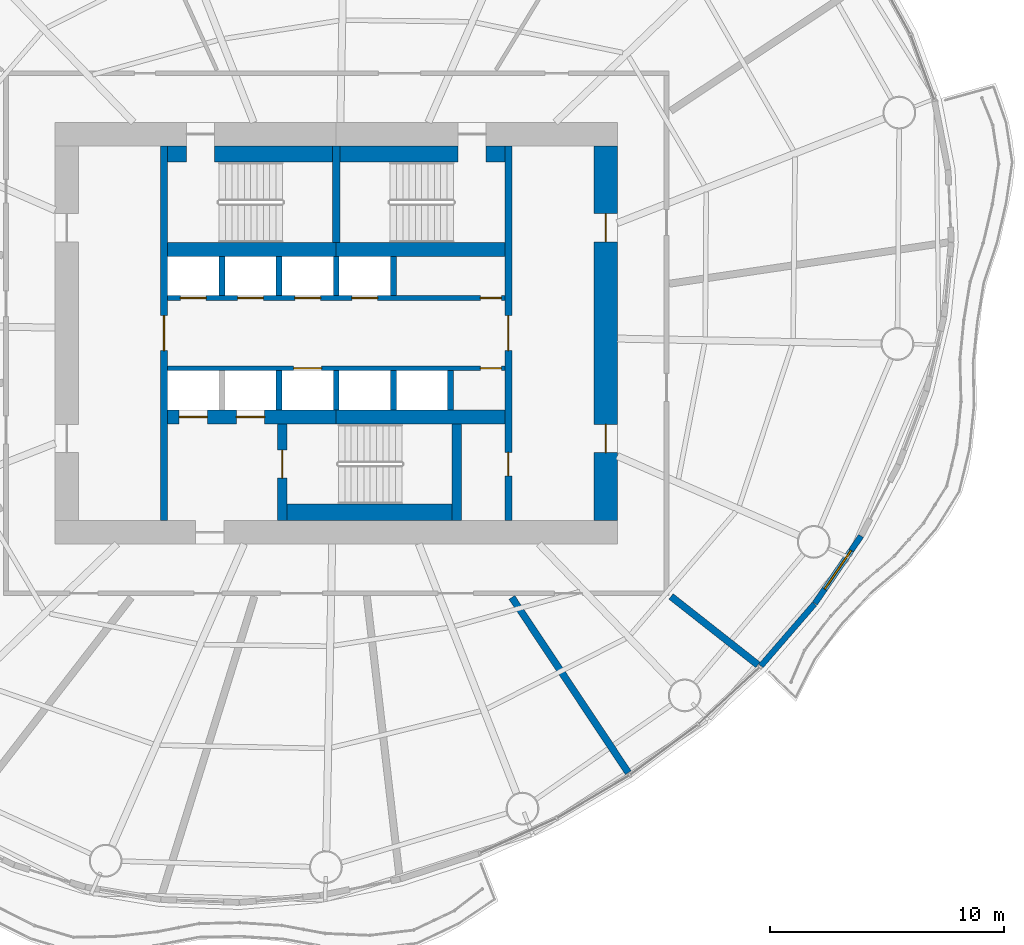
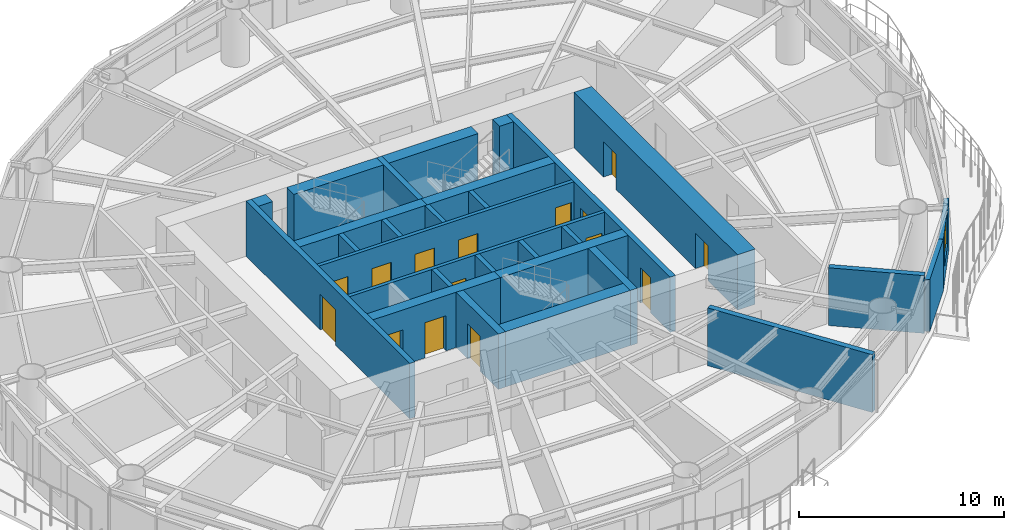
# One storey, part 9 of 15: 29 walls, 15 doors, 1 window, 16 openings.
"""IFC4 building model written with IfcOpenShell, lengths in metres."""

from ifc_helpers import new_model, si_unit, direction, frame, frame_2d, origin, place, context, subcontext, project, spatial, rectangle, extrude, material, layer, layer_set, type_object, element, fill, save


model = new_model("IFC4")

# Units and contexts
model_context = context("Model", 3, precision=1e-05, world=origin(), true_north=direction((0.0, 1.0)))
body_context = subcontext(model_context, "Body", "Model", "MODEL_VIEW")
ifc_project = project(units=[si_unit("LENGTHUNIT", "METRE"), si_unit("AREAUNIT", "SQUARE_METRE"), si_unit("VOLUMEUNIT", "CUBIC_METRE"), si_unit("PLANEANGLEUNIT", "RADIAN"), si_unit("MASSUNIT", "GRAM", prefix="KILO")], contexts=[model_context])

# Site, building, storey
site_placement = place(None, origin())
site = spatial("IfcSite", under=ifc_project, at=site_placement, CompositionType="ELEMENT")
building_placement = place(site_placement, origin())
building = spatial("IfcBuilding", under=site, at=building_placement, Name="Vermilion Reach Broadcast Tower", CompositionType="ELEMENT")
storey_placement = place(building_placement, frame((0.0, 0.0, 168.60009765625)))
storey = spatial("IfcBuildingStorey", under=building, at=storey_placement, Name="L40", CompositionType="ELEMENT", Elevation=168.60009765625)

# Wall, opening, door
ifc_material_1 = material(Name="Concrete C70", Category="concrete")
ifc_layer_1 = layer(ifc_material_1, 0.300048828125)
ifc_layer_set_1 = layer_set([ifc_layer_1], Name="Core inner wall 300 mm Concrete C70")
wall_type_1 = type_object("IfcWallType", Name="Core inner wall 300 mm Concrete C70", PredefinedType="SHEAR", material=ifc_layer_set_1)
wall_1_placement = place(storey_placement, frame((-13.35009765625, 8.0, 0.0), z_axis=(0.0, 0.0, 1.0), x_axis=(0.0, -1.0, 0.0)))
wall_1 = element("IfcWall", 1, at=wall_1_placement, inside=storey, type_object=wall_type_1, Name="L40 core wall ewW", PredefinedType="SHEAR", context=body_context, shape_type="SweptSolid", body=[
    extrude(rectangle(XDim=16.0, YDim=0.300048828125, at=frame_2d((8.0, 0.0))), origin(), (0.0, 0.0, 1.0), 3.2998046875),
])
opening_1_placement = place(wall_1_placement, frame((7.25, 0.0, 0.0)))
opening_1 = element("IfcOpeningElement", 2, at=opening_1_placement, cuts=wall_1, Name="Opening D04", PredefinedType="OPENING", context=body_context, shape_type="SweptSolid", body=[
    extrude(rectangle(XDim=1.5, YDim=2.10009765625, at=frame_2d((0.75, 1.050048828125))), frame((0.0, 0.159912109375, 0.0), z_axis=(0.0, -1.0, 0.0), x_axis=(1.0, 0.0, 0.0)), (0.0, 0.0, 1.0), 0.320068359375),
])
ifc_material_2 = material(Name="Painted steel fire door", Category="steel")
door_type_1 = type_object("IfcDoorType", Name="Lift lobby door 1500 x 2100", OperationType="DOUBLE_DOOR_SINGLE_SWING", PredefinedType="NOTDEFINED", material=ifc_material_2)
door_1_placement = place(opening_1_placement, origin())
door_1 = element("IfcDoor", 3, at=door_1_placement, inside=storey, type_object=door_type_1, Name="L40 band door BW", OperationType="DOUBLE_DOOR_SINGLE_SWING", OverallHeight=2.10009765625, OverallWidth=1.5, PredefinedType="NOTDEFINED", context=body_context, shape_type="SweptSolid", body=[
    extrude(rectangle(XDim=1.5, YDim=2.10009765625, at=frame_2d((0.75, 1.050048828125))), frame((0.0, 0.02490234375, 0.0), z_axis=(0.0, -1.0, 0.0), x_axis=(1.0, 0.0, 0.0)), (0.0, 0.0, 1.0), 0.050048828125),
])
fill(opening_1, door_1)

# Wall, openings, doors
wall_2_placement = place(storey_placement, frame((1.35009765625, -8.0, 0.0), z_axis=(0.0, 0.0, 1.0), x_axis=(0.0, 1.0, 0.0)))
wall_2 = element("IfcWall", 4, at=wall_2_placement, inside=storey, type_object=wall_type_1, Name="L40 core wall ewE", PredefinedType="SHEAR", context=body_context, shape_type="SweptSolid", body=[
    extrude(rectangle(XDim=16.0, YDim=0.300048828125, at=frame_2d((8.0, 0.0))), origin(), (0.0, 0.0, 1.0), 3.2998046875),
])
opening_2_placement = place(wall_2_placement, frame((1.909912109375, 0.0, 0.0)))
opening_2 = element("IfcOpeningElement", 5, at=opening_2_placement, cuts=wall_2, Name="Opening D05", PredefinedType="OPENING", context=body_context, shape_type="SweptSolid", body=[
    extrude(rectangle(XDim=1.0, YDim=2.10009765625, at=frame_2d((0.5, 1.050048828125))), frame((0.0, 0.159912109375, 0.0), z_axis=(0.0, -1.0, 0.0), x_axis=(1.0, 0.0, 0.0)), (0.0, 0.0, 1.0), 0.320068359375),
])
opening_3_placement = place(wall_2_placement, frame((7.25, 0.0, 0.0)))
opening_3 = element("IfcOpeningElement", 6, at=opening_3_placement, cuts=wall_2, Name="Opening D04", PredefinedType="OPENING", context=body_context, shape_type="SweptSolid", body=[
    extrude(rectangle(XDim=1.5, YDim=2.10009765625, at=frame_2d((0.75, 1.050048828125))), frame((0.0, 0.159912109375, 0.0), z_axis=(0.0, -1.0, 0.0), x_axis=(1.0, 0.0, 0.0)), (0.0, 0.0, 1.0), 0.320068359375),
])
door_2_placement = place(opening_3_placement, origin())
door_2 = element("IfcDoor", 7, at=door_2_placement, inside=storey, type_object=door_type_1, Name="L40 band door BE", OperationType="DOUBLE_DOOR_SINGLE_SWING", OverallHeight=2.10009765625, OverallWidth=1.5, PredefinedType="NOTDEFINED", context=body_context, shape_type="SweptSolid", body=[
    extrude(rectangle(XDim=1.5, YDim=2.10009765625, at=frame_2d((0.75, 1.050048828125))), frame((0.0, 0.02490234375, 0.0), z_axis=(0.0, -1.0, 0.0), x_axis=(1.0, 0.0, 0.0)), (0.0, 0.0, 1.0), 0.050048828125),
])
fill(opening_3, door_2)
ifc_material_3 = material(Name="Timber door", Category="wood")
door_type_2 = type_object("IfcDoorType", Name="Room door 1000 x 2100", OperationType="NOTDEFINED", PredefinedType="NOTDEFINED", material=ifc_material_3)
door_3_placement = place(opening_2_placement, origin())
door_3 = element("IfcDoor", 8, at=door_3_placement, inside=storey, type_object=door_type_2, Name="L40 door SER", OperationType="SINGLE_SWING_LEFT", OverallHeight=2.10009765625, OverallWidth=1.0, PredefinedType="NOTDEFINED", context=body_context, shape_type="SweptSolid", body=[
    extrude(rectangle(XDim=1.0, YDim=2.10009765625, at=frame_2d((0.5, 1.050048828125))), frame((0.0, 0.02490234375, 0.0), z_axis=(0.0, -1.0, 0.0), x_axis=(1.0, 0.0, 0.0)), (0.0, 0.0, 1.0), 0.050048828125),
])
fill(opening_2, door_3)

# Wall
wall_3_placement = place(storey_placement, frame((-6.0, 3.8798828125, 0.0), z_axis=(0.0, 0.0, 1.0), x_axis=(0.0, 1.0, 0.0)))
element("IfcWall", 9, at=wall_3_placement, inside=storey, type_object=wall_type_1, Name="L40 core wall wc", PredefinedType="SHEAR", context=body_context, shape_type="SweptSolid", body=[
    extrude(rectangle(XDim=4.1201171875, YDim=0.300048828125, at=frame_2d((2.06005859375, 0.0))), origin(), (0.0, 0.0, 1.0), 3.2998046875),
])

# Wall, opening, door
ifc_material_4 = material(Name="Concrete C70", Category="concrete")
ifc_layer_2 = layer(ifc_material_4, 0.39990234375)
ifc_layer_set_2 = layer_set([ifc_layer_2], Name="Core inner wall 400 mm Concrete C70")
wall_type_2 = type_object("IfcWallType", Name="Core inner wall 400 mm Concrete C70", PredefinedType="SHEAR", material=ifc_layer_set_2)
wall_4_placement = place(storey_placement, frame((-8.300048828125, -3.8798828125, 0.0), z_axis=(0.0, 0.0, 1.0), x_axis=(0.0, -1.0, 0.0)))
wall_4 = element("IfcWall", 10, at=wall_4_placement, inside=storey, type_object=wall_type_2, Name="L40 core wall wa", PredefinedType="SHEAR", context=body_context, shape_type="SweptSolid", body=[
    extrude(rectangle(XDim=4.1201171875, YDim=0.39990234375, at=frame_2d((2.06005859375, 0.0))), origin(), (0.0, 0.0, 1.0), 3.2998046875),
])
opening_4_placement = place(wall_4_placement, frame((1.110107421875, 0.0, 0.0)))
opening_4 = element("IfcOpeningElement", 11, at=opening_4_placement, cuts=wall_4, Name="Opening D01", PredefinedType="OPENING", context=body_context, shape_type="SweptSolid", body=[
    extrude(rectangle(XDim=1.199951171875, YDim=2.10009765625, at=frame_2d((0.60009765625, 1.050048828125))), frame((0.0, 0.2099609375, 0.0), z_axis=(0.0, -1.0, 0.0), x_axis=(1.0, 0.0, 0.0)), (0.0, 0.0, 1.0), 0.419921875),
])
ifc_material_5 = material(Name="Painted steel fire door", Category="steel")
door_type_3 = type_object("IfcDoorType", Name="Stair door 1200 x 2100", OperationType="DOUBLE_DOOR_SINGLE_SWING", PredefinedType="NOTDEFINED", material=ifc_material_5)
door_4_placement = place(opening_4_placement, origin())
door_4 = element("IfcDoor", 12, at=door_4_placement, inside=storey, type_object=door_type_3, Name="L40 stair door ST3", OperationType="DOUBLE_DOOR_SINGLE_SWING", OverallHeight=2.10009765625, OverallWidth=1.199951171875, PredefinedType="NOTDEFINED", context=body_context, shape_type="SweptSolid", body=[
    extrude(rectangle(XDim=1.199951171875, YDim=2.10009765625, at=frame_2d((0.60009765625, 1.050048828125))), frame((0.0, 0.02490234375, 0.0), z_axis=(0.0, -1.0, 0.0), x_axis=(1.0, 0.0, 0.0)), (0.0, 0.0, 1.0), 0.050048828125),
])
fill(opening_4, door_4)

# Walls
wall_5_placement = place(storey_placement, frame((-0.85009765625, -3.8798828125, 0.0), z_axis=(0.0, 0.0, 1.0), x_axis=(0.0, -1.0, 0.0)))
element("IfcWall", 13, at=wall_5_placement, inside=storey, type_object=wall_type_2, Name="L40 core wall wb", PredefinedType="SHEAR", context=body_context, shape_type="SweptSolid", body=[
    extrude(rectangle(XDim=4.1201171875, YDim=0.39990234375, at=frame_2d((2.06005859375, 0.0))), origin(), (0.0, 0.0, 1.0), 3.2998046875),
])
ifc_material_6 = material(Name="Concrete C70", Category="concrete")
ifc_layer_3 = layer(ifc_material_6, 0.60009765625)
ifc_layer_set_3 = layer_set([ifc_layer_3], Name="Core inner wall 600 mm Concrete C70")
wall_type_3 = type_object("IfcWallType", Name="Core inner wall 600 mm Concrete C70", PredefinedType="SHEAR", material=ifc_layer_set_3)
for number, where, z_axis, x_axis, name in (
    (14, (-13.199951171875, 3.580078125, 0.0), (0.0, 0.0, 1.0), (1.0, 0.0, 0.0), "L40 core wall winW"),
    (15, (-6.0, 3.580078125, 0.0), (0.0, 0.0, 1.0), (1.0, 0.0, 0.0), "L40 core wall winE"),
):
    element("IfcWall", number, at=place(storey_placement, frame(where, z_axis=z_axis, x_axis=x_axis)), inside=storey, type_object=wall_type_3, Name=name, PredefinedType="SHEAR", context=body_context, shape_type="SweptSolid", body=[
        extrude(rectangle(XDim=7.199951171875, YDim=0.60009765625, at=frame_2d((3.60009765625, 0.0))), origin(), (0.0, 0.0, 1.0), 3.2998046875),
    ])

# Wall, openings, doors
wall_6_placement = place(storey_placement, frame((-13.199951171875, -3.580078125, 0.0), z_axis=(0.0, 0.0, 1.0), x_axis=(1.0, 0.0, 0.0)))
wall_6 = element("IfcWall", 16, at=wall_6_placement, inside=storey, type_object=wall_type_3, Name="L40 core wall wisW", PredefinedType="SHEAR", context=body_context, shape_type="SweptSolid", body=[
    extrude(rectangle(XDim=7.199951171875, YDim=0.60009765625, at=frame_2d((3.60009765625, 0.0))), origin(), (0.0, 0.0, 1.0), 3.2998046875),
])
opening_5_placement = place(wall_6_placement, frame((0.495849609375, 0.0, 0.0)))
opening_5 = element("IfcOpeningElement", 17, at=opening_5_placement, cuts=wall_6, Name="Opening LD1", PredefinedType="OPENING", context=body_context, shape_type="SweptSolid", body=[
    extrude(rectangle(XDim=1.199951171875, YDim=2.10009765625, at=frame_2d((0.60009765625, 1.050048828125))), frame((0.0, 0.31005859375, 0.0), z_axis=(0.0, -1.0, 0.0), x_axis=(1.0, 0.0, 0.0)), (0.0, 0.0, 1.0), 0.6201171875),
])
opening_6_placement = place(wall_6_placement, frame((2.9375, 0.0, 0.0)))
opening_6 = element("IfcOpeningElement", 18, at=opening_6_placement, cuts=wall_6, Name="Opening LD1", PredefinedType="OPENING", context=body_context, shape_type="SweptSolid", body=[
    extrude(rectangle(XDim=1.199951171875, YDim=2.10009765625, at=frame_2d((0.60009765625, 1.050048828125))), frame((0.0, 0.31005859375, 0.0), z_axis=(0.0, -1.0, 0.0), x_axis=(1.0, 0.0, 0.0)), (0.0, 0.0, 1.0), 0.6201171875),
])
ifc_material_7 = material(Name="Stainless steel", Category="steel")
door_type_4 = type_object("IfcDoorType", Name="Landing door 1200 x 2100", OperationType="DOUBLE_DOOR_SLIDING", PredefinedType="NOTDEFINED", material=ifc_material_7)
door_5_placement = place(opening_5_placement, origin())
door_5 = element("IfcDoor", 19, at=door_5_placement, inside=storey, type_object=door_type_4, Name="L40 landing door FF1", OperationType="DOUBLE_DOOR_SLIDING", OverallHeight=2.10009765625, OverallWidth=1.199951171875, PredefinedType="NOTDEFINED", context=body_context, shape_type="SweptSolid", body=[
    extrude(rectangle(XDim=1.199951171875, YDim=2.10009765625, at=frame_2d((0.60009765625, 1.050048828125))), frame((0.0, 0.02490234375, 0.0), z_axis=(0.0, -1.0, 0.0), x_axis=(1.0, 0.0, 0.0)), (0.0, 0.0, 1.0), 0.050048828125),
])
fill(opening_5, door_5)
door_6_placement = place(opening_6_placement, origin())
door_6 = element("IfcDoor", 20, at=door_6_placement, inside=storey, type_object=door_type_4, Name="L40 landing door FF2", OperationType="DOUBLE_DOOR_SLIDING", OverallHeight=2.10009765625, OverallWidth=1.199951171875, PredefinedType="NOTDEFINED", context=body_context, shape_type="SweptSolid", body=[
    extrude(rectangle(XDim=1.199951171875, YDim=2.10009765625, at=frame_2d((0.60009765625, 1.050048828125))), frame((0.0, 0.02490234375, 0.0), z_axis=(0.0, -1.0, 0.0), x_axis=(1.0, 0.0, 0.0)), (0.0, 0.0, 1.0), 0.050048828125),
])
fill(opening_6, door_6)

# Wall
wall_7_placement = place(storey_placement, frame((-6.0, -3.580078125, 0.0), z_axis=(0.0, 0.0, 1.0), x_axis=(1.0, 0.0, 0.0)))
element("IfcWall", 21, at=wall_7_placement, inside=storey, type_object=wall_type_3, Name="L40 core wall wisE", PredefinedType="SHEAR", context=body_context, shape_type="SweptSolid", body=[
    extrude(rectangle(XDim=7.199951171875, YDim=0.60009765625, at=frame_2d((3.60009765625, 0.0))), origin(), (0.0, 0.0, 1.0), 3.2998046875),
])

# Wall, openings, doors
ifc_material_8 = material(Name="Concrete C70", Category="concrete")
ifc_layer_4 = layer(ifc_material_8, 1.0)
ifc_layer_set_4 = layer_set([ifc_layer_4], Name="Core outer wall 1000 mm Concrete C70")
wall_type_4 = type_object("IfcWallType", Name="Core outer wall 1000 mm Concrete C70", PredefinedType="SHEAR", material=ifc_layer_set_4)
wall_8_placement = place(storey_placement, frame((5.5, -8.0, 0.0), z_axis=(0.0, 0.0, 1.0), x_axis=(0.0, 1.0, 0.0)))
wall_8 = element("IfcWall", 22, at=wall_8_placement, inside=storey, type_object=wall_type_4, Name="L40 core wall oe", PredefinedType="SHEAR", context=body_context, shape_type="SweptSolid", body=[
    extrude(rectangle(XDim=16.0, YDim=1.0, at=frame_2d((8.0, 0.0))), origin(), (0.0, 0.0, 1.0), 3.2998046875),
])
opening_7_placement = place(wall_8_placement, frame((2.89990234375, 0.0, 0.0)))
opening_7 = element("IfcOpeningElement", 23, at=opening_7_placement, cuts=wall_8, Name="Opening D03", PredefinedType="OPENING", context=body_context, shape_type="SweptSolid", body=[
    extrude(rectangle(XDim=1.199951171875, YDim=2.10009765625, at=frame_2d((0.60009765625, 1.050048828125))), frame((0.0, 0.510009765625, 0.0), z_axis=(0.0, -1.0, 0.0), x_axis=(1.0, 0.0, 0.0)), (0.0, 0.0, 1.0), 1.02001953125),
])
opening_8_placement = place(wall_8_placement, frame((11.89990234375, 0.0, 0.0)))
opening_8 = element("IfcOpeningElement", 24, at=opening_8_placement, cuts=wall_8, Name="Opening D03", PredefinedType="OPENING", context=body_context, shape_type="SweptSolid", body=[
    extrude(rectangle(XDim=1.199951171875, YDim=2.10009765625, at=frame_2d((0.60009765625, 1.050048828125))), frame((0.0, 0.510009765625, 0.0), z_axis=(0.0, -1.0, 0.0), x_axis=(1.0, 0.0, 0.0)), (0.0, 0.0, 1.0), 1.02001953125),
])
ifc_material_9 = material(Name="Painted steel fire door", Category="steel")
door_type_5 = type_object("IfcDoorType", Name="Core lobby door 1200 x 2100", OperationType="DOUBLE_DOOR_SINGLE_SWING", PredefinedType="NOTDEFINED", material=ifc_material_9)
door_7_placement = place(opening_7_placement, origin())
door_7 = element("IfcDoor", 25, at=door_7_placement, inside=storey, type_object=door_type_5, Name="L40 slot door E0", OperationType="DOUBLE_DOOR_SINGLE_SWING", OverallHeight=2.10009765625, OverallWidth=1.199951171875, PredefinedType="NOTDEFINED", context=body_context, shape_type="SweptSolid", body=[
    extrude(rectangle(XDim=1.199951171875, YDim=2.10009765625, at=frame_2d((0.60009765625, 1.050048828125))), frame((0.0, 0.02490234375, 0.0), z_axis=(0.0, -1.0, 0.0), x_axis=(1.0, 0.0, 0.0)), (0.0, 0.0, 1.0), 0.050048828125),
])
fill(opening_7, door_7)
door_8_placement = place(opening_8_placement, origin())
door_8 = element("IfcDoor", 26, at=door_8_placement, inside=storey, type_object=door_type_5, Name="L40 slot door E1", OperationType="DOUBLE_DOOR_SINGLE_SWING", OverallHeight=2.10009765625, OverallWidth=1.199951171875, PredefinedType="NOTDEFINED", context=body_context, shape_type="SweptSolid", body=[
    extrude(rectangle(XDim=1.199951171875, YDim=2.10009765625, at=frame_2d((0.60009765625, 1.050048828125))), frame((0.0, 0.02490234375, 0.0), z_axis=(0.0, -1.0, 0.0), x_axis=(1.0, 0.0, 0.0)), (0.0, 0.0, 1.0), 0.050048828125),
])
fill(opening_8, door_8)

ifc_material_10 = material(Name="Concrete C50", Category="concrete")
ifc_layer_5 = layer(ifc_material_10, 0.199951171875)
ifc_layer_set_5 = layer_set([ifc_layer_5], Name="Core shaft wall 200 mm Concrete C50")
wall_type_5 = type_object("IfcWallType", Name="Core shaft wall 200 mm Concrete C50", PredefinedType="SHEAR", material=ifc_layer_set_5)
wall_9_placement = place(storey_placement, frame((-13.199951171875, 1.5, 0.0), z_axis=(0.0, 0.0, 1.0), x_axis=(1.0, 0.0, 0.0)))
wall_9 = element("IfcWall", 27, at=wall_9_placement, inside=storey, type_object=wall_type_5, Name="L40 core wall fn", PredefinedType="SHEAR", context=body_context, shape_type="SweptSolid", body=[
    extrude(rectangle(XDim=14.39990234375, YDim=0.199951171875, at=frame_2d((7.199951171875, 0.0))), origin(), (0.0, 0.0, 1.0), 3.2998046875),
])
opening_9_placement = place(wall_9_placement, frame((0.5458984375, 0.0, 0.0)))
opening_9 = element("IfcOpeningElement", 28, at=opening_9_placement, cuts=wall_9, Name="Opening LD2", PredefinedType="OPENING", context=body_context, shape_type="SweptSolid", body=[
    extrude(rectangle(XDim=1.10009765625, YDim=2.10009765625, at=frame_2d((0.550048828125, 1.050048828125))), frame((0.0, 0.10986328125, 0.0), z_axis=(0.0, -1.0, 0.0), x_axis=(1.0, 0.0, 0.0)), (0.0, 0.0, 1.0), 0.219970703125),
])
opening_10_placement = place(wall_9_placement, frame((2.987548828125, 0.0, 0.0)))
opening_10 = element("IfcOpeningElement", 29, at=opening_10_placement, cuts=wall_9, Name="Opening LD2", PredefinedType="OPENING", context=body_context, shape_type="SweptSolid", body=[
    extrude(rectangle(XDim=1.10009765625, YDim=2.10009765625, at=frame_2d((0.550048828125, 1.050048828125))), frame((0.0, 0.10986328125, 0.0), z_axis=(0.0, -1.0, 0.0), x_axis=(1.0, 0.0, 0.0)), (0.0, 0.0, 1.0), 0.219970703125),
])
opening_11_placement = place(wall_9_placement, frame((5.42919921875, 0.0, 0.0)))
opening_11 = element("IfcOpeningElement", 30, at=opening_11_placement, cuts=wall_9, Name="Opening LD2", PredefinedType="OPENING", context=body_context, shape_type="SweptSolid", body=[
    extrude(rectangle(XDim=1.10009765625, YDim=2.10009765625, at=frame_2d((0.550048828125, 1.050048828125))), frame((0.0, 0.10986328125, 0.0), z_axis=(0.0, -1.0, 0.0), x_axis=(1.0, 0.0, 0.0)), (0.0, 0.0, 1.0), 0.219970703125),
])
opening_12_placement = place(wall_9_placement, frame((7.870849609375, 0.0, 0.0)))
opening_12 = element("IfcOpeningElement", 31, at=opening_12_placement, cuts=wall_9, Name="Opening LD2", PredefinedType="OPENING", context=body_context, shape_type="SweptSolid", body=[
    extrude(rectangle(XDim=1.10009765625, YDim=2.10009765625, at=frame_2d((0.550048828125, 1.050048828125))), frame((0.0, 0.10986328125, 0.0), z_axis=(0.0, -1.0, 0.0), x_axis=(1.0, 0.0, 0.0)), (0.0, 0.0, 1.0), 0.219970703125),
])
opening_13_placement = place(wall_9_placement, frame((13.35009765625, 0.0, 0.0)))
opening_13 = element("IfcOpeningElement", 32, at=opening_13_placement, cuts=wall_9, Name="Opening D06", PredefinedType="OPENING", context=body_context, shape_type="SweptSolid", body=[
    extrude(rectangle(XDim=0.89990234375, YDim=2.10009765625, at=frame_2d((0.449951171875, 1.050048828125))), frame((0.0, 0.10986328125, 0.0), z_axis=(0.0, -1.0, 0.0), x_axis=(1.0, 0.0, 0.0)), (0.0, 0.0, 1.0), 0.219970703125),
])
ifc_material_11 = material(Name="Stainless steel", Category="steel")
door_type_6 = type_object("IfcDoorType", Name="Landing door 1100 x 2100", OperationType="DOUBLE_DOOR_SLIDING", PredefinedType="NOTDEFINED", material=ifc_material_11)
door_9_placement = place(opening_9_placement, origin())
door_9 = element("IfcDoor", 33, at=door_9_placement, inside=storey, type_object=door_type_6, Name="L40 landing door LR1", OperationType="DOUBLE_DOOR_SLIDING", OverallHeight=2.10009765625, OverallWidth=1.10009765625, PredefinedType="NOTDEFINED", context=body_context, shape_type="SweptSolid", body=[
    extrude(rectangle(XDim=1.10009765625, YDim=2.10009765625, at=frame_2d((0.550048828125, 1.050048828125))), frame((0.0, 0.02490234375, 0.0), z_axis=(0.0, -1.0, 0.0), x_axis=(1.0, 0.0, 0.0)), (0.0, 0.0, 1.0), 0.050048828125),
])
fill(opening_9, door_9)
door_10_placement = place(opening_10_placement, origin())
door_10 = element("IfcDoor", 34, at=door_10_placement, inside=storey, type_object=door_type_6, Name="L40 landing door LR2", OperationType="DOUBLE_DOOR_SLIDING", OverallHeight=2.10009765625, OverallWidth=1.10009765625, PredefinedType="NOTDEFINED", context=body_context, shape_type="SweptSolid", body=[
    extrude(rectangle(XDim=1.10009765625, YDim=2.10009765625, at=frame_2d((0.550048828125, 1.050048828125))), frame((0.0, 0.02490234375, 0.0), z_axis=(0.0, -1.0, 0.0), x_axis=(1.0, 0.0, 0.0)), (0.0, 0.0, 1.0), 0.050048828125),
])
fill(opening_10, door_10)
door_11_placement = place(opening_11_placement, origin())
door_11 = element("IfcDoor", 35, at=door_11_placement, inside=storey, type_object=door_type_6, Name="L40 landing door LR3", OperationType="DOUBLE_DOOR_SLIDING", OverallHeight=2.10009765625, OverallWidth=1.10009765625, PredefinedType="NOTDEFINED", context=body_context, shape_type="SweptSolid", body=[
    extrude(rectangle(XDim=1.10009765625, YDim=2.10009765625, at=frame_2d((0.550048828125, 1.050048828125))), frame((0.0, 0.02490234375, 0.0), z_axis=(0.0, -1.0, 0.0), x_axis=(1.0, 0.0, 0.0)), (0.0, 0.0, 1.0), 0.050048828125),
])
fill(opening_11, door_11)
door_12_placement = place(opening_12_placement, origin())
door_12 = element("IfcDoor", 36, at=door_12_placement, inside=storey, type_object=door_type_6, Name="L40 landing door LR4", OperationType="DOUBLE_DOOR_SLIDING", OverallHeight=2.10009765625, OverallWidth=1.10009765625, PredefinedType="NOTDEFINED", context=body_context, shape_type="SweptSolid", body=[
    extrude(rectangle(XDim=1.10009765625, YDim=2.10009765625, at=frame_2d((0.550048828125, 1.050048828125))), frame((0.0, 0.02490234375, 0.0), z_axis=(0.0, -1.0, 0.0), x_axis=(1.0, 0.0, 0.0)), (0.0, 0.0, 1.0), 0.050048828125),
])
fill(opening_12, door_12)
ifc_material_12 = material(Name="Timber door", Category="wood")
door_type_7 = type_object("IfcDoorType", Name="WC door 900 x 2100", OperationType="NOTDEFINED", PredefinedType="NOTDEFINED", material=ifc_material_12)
door_13_placement = place(opening_13_placement, origin())
door_13 = element("IfcDoor", 37, at=door_13_placement, inside=storey, type_object=door_type_7, Name="L40 door Female WC", OperationType="SINGLE_SWING_RIGHT", OverallHeight=2.10009765625, OverallWidth=0.89990234375, PredefinedType="NOTDEFINED", context=body_context, shape_type="SweptSolid", body=[
    extrude(rectangle(XDim=0.89990234375, YDim=2.10009765625, at=frame_2d((0.449951171875, 1.050048828125))), frame((0.0, 0.02490234375, 0.0), z_axis=(0.0, -1.0, 0.0), x_axis=(1.0, 0.0, 0.0)), (0.0, 0.0, 1.0), 0.050048828125),
])
fill(opening_13, door_13)

wall_10_placement = place(storey_placement, frame((1.199951171875, -1.5, 0.0), z_axis=(0.0, 0.0, 1.0), x_axis=(-1.0, 0.0, 0.0)))
wall_10 = element("IfcWall", 38, at=wall_10_placement, inside=storey, type_object=wall_type_5, Name="L40 core wall fs", PredefinedType="SHEAR", context=body_context, shape_type="SweptSolid", body=[
    extrude(rectangle(XDim=14.39990234375, YDim=0.199951171875, at=frame_2d((7.199951171875, 0.0))), origin(), (0.0, 0.0, 1.0), 3.2998046875),
])
opening_14_placement = place(wall_10_placement, frame((7.82080078125, 0.0, 0.0)))
opening_14 = element("IfcOpeningElement", 39, at=opening_14_placement, cuts=wall_10, Name="Opening LD1", PredefinedType="OPENING", context=body_context, shape_type="SweptSolid", body=[
    extrude(rectangle(XDim=1.199951171875, YDim=2.10009765625, at=frame_2d((0.60009765625, 1.050048828125))), frame((0.0, 0.10986328125, 0.0), z_axis=(0.0, -1.0, 0.0), x_axis=(1.0, 0.0, 0.0)), (0.0, 0.0, 1.0), 0.219970703125),
])
opening_15_placement = place(wall_10_placement, frame((0.14990234375, 0.0, 0.0)))
opening_15 = element("IfcOpeningElement", 40, at=opening_15_placement, cuts=wall_10, Name="Opening D06", PredefinedType="OPENING", context=body_context, shape_type="SweptSolid", body=[
    extrude(rectangle(XDim=0.89990234375, YDim=2.10009765625, at=frame_2d((0.449951171875, 1.050048828125))), frame((0.0, 0.10986328125, 0.0), z_axis=(0.0, -1.0, 0.0), x_axis=(1.0, 0.0, 0.0)), (0.0, 0.0, 1.0), 0.219970703125),
])
door_14_placement = place(opening_14_placement, origin())
door_14 = element("IfcDoor", 41, at=door_14_placement, inside=storey, type_object=door_type_4, Name="L40 landing door SV1", OperationType="DOUBLE_DOOR_SLIDING", OverallHeight=2.10009765625, OverallWidth=1.199951171875, PredefinedType="NOTDEFINED", context=body_context, shape_type="SweptSolid", body=[
    extrude(rectangle(XDim=1.199951171875, YDim=2.10009765625, at=frame_2d((0.60009765625, 1.050048828125))), frame((0.0, 0.02490234375, 0.0), z_axis=(0.0, -1.0, 0.0), x_axis=(1.0, 0.0, 0.0)), (0.0, 0.0, 1.0), 0.050048828125),
])
fill(opening_14, door_14)
door_15_placement = place(opening_15_placement, origin())
door_15 = element("IfcDoor", 42, at=door_15_placement, inside=storey, type_object=door_type_7, Name="L40 door Male WC", OperationType="SINGLE_SWING_LEFT", OverallHeight=2.10009765625, OverallWidth=0.89990234375, PredefinedType="NOTDEFINED", context=body_context, shape_type="SweptSolid", body=[
    extrude(rectangle(XDim=0.89990234375, YDim=2.10009765625, at=frame_2d((0.449951171875, 1.050048828125))), frame((0.0, 0.02490234375, 0.0), z_axis=(0.0, -1.0, 0.0), x_axis=(1.0, 0.0, 0.0)), (0.0, 0.0, 1.0), 0.050048828125),
])
fill(opening_15, door_15)

# Walls
ifc_material_13 = material(Name="Concrete C50", Category="concrete")
ifc_layer_6 = layer(ifc_material_13, 0.25)
ifc_layer_set_6 = layer_set([ifc_layer_6], Name="Core shaft wall 250 mm Concrete C50")
wall_type_6 = type_object("IfcWallType", Name="Core shaft wall 250 mm Concrete C50", PredefinedType="SHEAR", material=ifc_layer_set_6)
for number, where, z_axis, x_axis, name in (
    (43, (-10.88330078125, 1.60009765625, 0.0), (0.0, 0.0, 1.0), (0.0, 1.0, 0.0), "L40 core wall psN0"),
    (44, (-8.441650390625, 1.60009765625, 0.0), (0.0, 0.0, 1.0), (0.0, 1.0, 0.0), "L40 core wall psN1"),
    (45, (-6.0, 1.60009765625, 0.0), (0.0, 0.0, 1.0), (0.0, 1.0, 0.0), "L40 core wall psN2"),
    (46, (-3.558349609375, 1.60009765625, 0.0), (0.0, 0.0, 1.0), (0.0, 1.0, 0.0), "L40 core wall psN3"),
    (47, (-8.441650390625, -1.60009765625, 0.0), (0.0, 0.0, 1.0), (0.0, -1.0, 0.0), "L40 core wall psS1"),
    (48, (-6.0, -1.60009765625, 0.0), (0.0, 0.0, 1.0), (0.0, -1.0, 0.0), "L40 core wall psS2"),
    (49, (-3.558349609375, -1.60009765625, 0.0), (0.0, 0.0, 1.0), (0.0, -1.0, 0.0), "L40 core wall psS3"),
    (50, (-1.11669921875, -1.60009765625, 0.0), (0.0, 0.0, 1.0), (0.0, -1.0, 0.0), "L40 core wall psS4"),
):
    element("IfcWall", number, at=place(storey_placement, frame(where, z_axis=z_axis, x_axis=x_axis)), inside=storey, type_object=wall_type_6, Name=name, PredefinedType="SHEAR", context=body_context, shape_type="SweptSolid", body=[
        extrude(rectangle(XDim=1.679931640625, YDim=0.25, at=frame_2d((0.83984375, 0.0))), origin(), (0.0, 0.0, 1.0), 3.2998046875),
    ])
ifc_material_14 = material(Name="Concrete C70", Category="concrete")
ifc_layer_7 = layer(ifc_material_14, 0.699951171875)
ifc_layer_set_7 = layer_set([ifc_layer_7], Name="Core stair wall 700 mm Concrete C70")
wall_type_7 = type_object("IfcWallType", Name="Core stair wall 700 mm Concrete C70", PredefinedType="SHEAR", material=ifc_layer_set_7)
wall_11_placement = place(storey_placement, frame((-13.199951171875, 7.64990234375, 0.0), z_axis=(0.0, 0.0, 1.0), x_axis=(1.0, 0.0, 0.0)))
element("IfcWall", 51, at=wall_11_placement, inside=storey, type_object=wall_type_7, Name="L40 core wall l1a", PredefinedType="SHEAR", context=body_context, shape_type="SweptSolid", body=[
    extrude(rectangle(XDim=0.800048828125, YDim=0.699951171875, at=frame_2d((0.39990234375, 0.0))), origin(), (0.0, 0.0, 1.0), 3.2998046875),
])
for number, where, z_axis, x_axis, name in (
    (52, (-11.199951171875, 7.64990234375, 0.0), (0.0, 0.0, 1.0), (1.0, 0.0, 0.0), "L40 core wall l1b"),
    (53, (-5.85009765625, 7.64990234375, 0.0), (0.0, 0.0, 1.0), (1.0, 0.0, 0.0), "L40 core wall l2a"),
):
    element("IfcWall", number, at=place(storey_placement, frame(where, z_axis=z_axis, x_axis=x_axis)), inside=storey, type_object=wall_type_7, Name=name, PredefinedType="SHEAR", context=body_context, shape_type="SweptSolid", body=[
        extrude(rectangle(XDim=5.050048828125, YDim=0.699951171875, at=frame_2d((2.52490234375, 0.0))), origin(), (0.0, 0.0, 1.0), 3.2998046875),
    ])
wall_12_placement = place(storey_placement, frame((0.39990234375, 7.64990234375, 0.0), z_axis=(0.0, 0.0, 1.0), x_axis=(1.0, 0.0, 0.0)))
element("IfcWall", 54, at=wall_12_placement, inside=storey, type_object=wall_type_7, Name="L40 core wall l2b", PredefinedType="SHEAR", context=body_context, shape_type="SweptSolid", body=[
    extrude(rectangle(XDim=0.800048828125, YDim=0.699951171875, at=frame_2d((0.39990234375, 0.0))), origin(), (0.0, 0.0, 1.0), 3.2998046875),
])
wall_13_placement = place(storey_placement, frame((-8.10009765625, -7.64990234375, 0.0), z_axis=(0.0, 0.0, 1.0), x_axis=(1.0, 0.0, 0.0)))
element("IfcWall", 55, at=wall_13_placement, inside=storey, type_object=wall_type_7, Name="L40 core wall l3", PredefinedType="SHEAR", context=body_context, shape_type="SweptSolid", body=[
    extrude(rectangle(XDim=7.050048828125, YDim=0.699951171875, at=frame_2d((3.52490234375, 0.0))), origin(), (0.0, 0.0, 1.0), 3.2998046875),
])
ifc_material_15 = material(Name="Double-leaf plasterboard on isolated steel stud", Category="steel")
ifc_layer_8 = layer(ifc_material_15, 0.300048828125)
ifc_layer_set_8 = layer_set([ifc_layer_8], Name="Partition 300 acoustic double leaf")
wall_type_8 = type_object("IfcWallType", Name="Partition 300 acoustic double leaf", PredefinedType="PARTITIONING", material=ifc_layer_set_8)
wall_14_placement = place(storey_placement, frame((6.46875, -18.766845703125, 0.0), z_axis=(0.0, 0.0, 1.0), x_axis=(-0.553401560542, 0.832914589132, 0.0)))
element("IfcWall", 56, at=wall_14_placement, inside=storey, type_object=wall_type_8, Name="Partition 40.11", PredefinedType="PARTITIONING", context=body_context, shape_type="SweptSolid", body=[
    extrude(rectangle(XDim=8.985107421875, YDim=0.300048828125, at=frame_2d((4.49267578125, 0.0))), origin(), (0.0, 0.0, 1.0), 3.449951171875),
])
wall_15_placement = place(storey_placement, frame((12.004638671875, -14.16162109375, 0.0), z_axis=(0.0, 0.0, 1.0), x_axis=(-0.785991742752, 0.618236993657, 0.0)))
element("IfcWall", 57, at=wall_15_placement, inside=storey, type_object=wall_type_8, Name="Partition 40.12", PredefinedType="PARTITIONING", context=body_context, shape_type="SweptSolid", body=[
    extrude(rectangle(XDim=4.72265625, YDim=0.300048828125, at=frame_2d((2.361328125, 0.0))), origin(), (0.0, 0.0, 1.0), 3.449951171875),
])
ifc_material_16 = material(Name="Terracotta rainscreen cladding", Category="masonry")
ifc_layer_9 = layer(ifc_material_16, 0.25)
ifc_layer_set_9 = layer_set([ifc_layer_9], Name="Terracotta rainscreen wall 250")
wall_type_9 = type_object("IfcWallType", Name="Terracotta rainscreen wall 250", PredefinedType="SOLIDWALL", material=ifc_layer_set_9)
wall_16_placement = place(storey_placement, frame((12.130615234375, -14.206787109375, 0.0), z_axis=(0.0, 0.0, 1.0), x_axis=(0.654160555631, 0.756355714897, 0.0)))
element("IfcWall", 58, at=wall_16_placement, inside=storey, type_object=wall_type_9, Name="External wall L40 38", PredefinedType="SOLIDWALL", context=body_context, shape_type="SweptSolid", body=[
    extrude(rectangle(XDim=3.502197265625, YDim=0.25, at=frame_2d((1.7509765625, 0.0))), origin(), (0.0, 0.0, 1.0), 3.099853515625),
])

# Wall, opening, window
wall_17_placement = place(storey_placement, frame((14.43505859375, -11.540283203125, 0.0), z_axis=(0.0, 0.0, 1.0), x_axis=(0.564914738845, 0.825149282152, 0.0)))
wall_17 = element("IfcWall", 59, at=wall_17_placement, inside=storey, type_object=wall_type_9, Name="External wall L40 39", PredefinedType="SOLIDWALL", context=body_context, shape_type="SweptSolid", body=[
    extrude(rectangle(XDim=3.488037109375, YDim=0.25, at=frame_2d((1.744140625, 0.0))), origin(), (0.0, 0.0, 1.0), 3.099853515625),
])
opening_16_placement = place(wall_17_placement, frame((0.744140625, 0.0, 0.89990234375)))
opening_16 = element("IfcOpeningElement", 60, at=opening_16_placement, cuts=wall_17, Name="Opening W03", PredefinedType="OPENING", context=body_context, shape_type="SweptSolid", body=[
    extrude(rectangle(XDim=2.0, YDim=2.10009765625, at=frame_2d((1.0, 1.050048828125))), frame((0.0, 0.135009765625, 0.0), z_axis=(0.0, -1.0, 0.0), x_axis=(1.0, 0.0, 0.0)), (0.0, 0.0, 1.0), 0.27001953125),
])
ifc_material_17 = material(Name="Low-e laminated clear glass in aluminium frame", Category="aluminium")
window_type = type_object("IfcWindowType", Name="Punched window 2000 x 2100 sill 900", PartitioningType="SINGLE_PANEL", PredefinedType="WINDOW", material=ifc_material_17)
window_placement = place(opening_16_placement, origin())
window = element("IfcWindow", 61, at=window_placement, inside=storey, type_object=window_type, Name="Window L40 39", OverallHeight=2.10009765625, OverallWidth=2.0, PartitioningType="SINGLE_PANEL", PredefinedType="WINDOW", context=body_context, shape_type="SweptSolid", body=[
    extrude(rectangle(XDim=2.0, YDim=2.10009765625, at=frame_2d((1.0, 1.050048828125))), frame((0.0, 0.030029296875, 0.0), z_axis=(0.0, -1.0, 0.0), x_axis=(1.0, 0.0, 0.0)), (0.0, 0.0, 1.0), 0.06005859375),
])
fill(opening_16, window)

save(model, "model.ifc")
